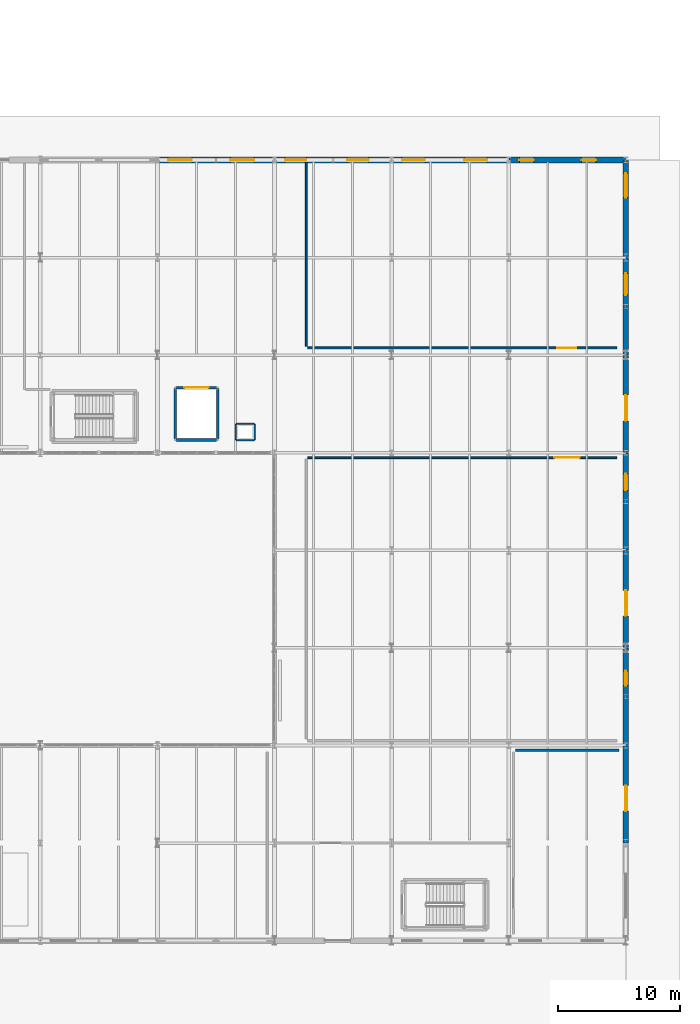
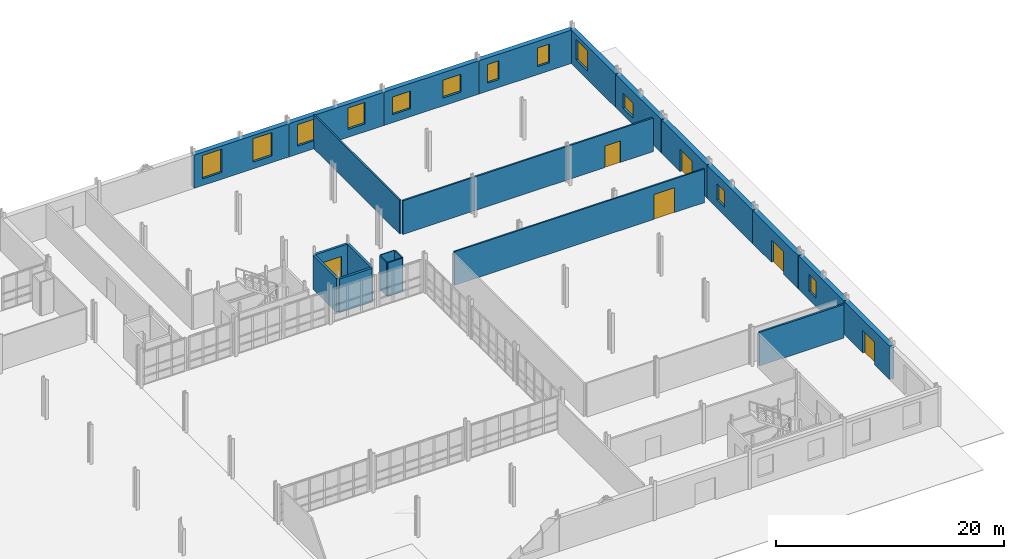
# One storey, part 64 of 78: 23 walls, 12 windows, 6 doors, 18 openings.
"""IFC4 building model written with IfcOpenShell, lengths in metres."""

from ifc_helpers import new_model, si_unit, direction, frame, frame_2d, origin, place, context, subcontext, project, spatial, rectangle, extrude, material, layer, layer_set, type_object, element, fill, save


model = new_model("IFC4")

# Units and contexts
model_context = context("Model", 3, precision=1e-05, world=origin(), true_north=direction((0.0, 1.0)))
body_context = subcontext(model_context, "Body", "Model", "MODEL_VIEW")
ifc_project = project(units=[si_unit("LENGTHUNIT", "METRE"), si_unit("AREAUNIT", "SQUARE_METRE"), si_unit("VOLUMEUNIT", "CUBIC_METRE"), si_unit("PLANEANGLEUNIT", "RADIAN"), si_unit("MASSUNIT", "GRAM", prefix="KILO")], contexts=[model_context])

# Site, building, storey
site_placement = place(None, origin())
site = spatial("IfcSite", under=ifc_project, at=site_placement, CompositionType="ELEMENT")
building_placement = place(site_placement, origin())
building = spatial("IfcBuilding", under=site, at=building_placement, Name="Alderhovde Museum", CompositionType="ELEMENT")
storey_placement = place(building_placement, origin())
storey = spatial("IfcBuildingStorey", under=building, at=storey_placement, Name="L00", CompositionType="ELEMENT", Elevation=0.0)

# Wall, openings, windows
ifc_material_1 = material(Name="Nordic Granite Ashlar on Concrete C35/45", Category="masonry")
ifc_layer_1 = layer(ifc_material_1, 0.47998046875)
ifc_layer_set_1 = layer_set([ifc_layer_1], Name="Nordic Granite Ashlar on Concrete C35/45")
wall_type_1 = type_object("IfcWallType", Name="EW-GRAN-480", PredefinedType="SOLIDWALL", material=ifc_layer_set_1)
wall_1_placement = place(storey_placement, frame((134.419921875, 96.0, 0.0), z_axis=(0.0, 0.0, 1.0), x_axis=(1.0, 0.0, 0.0)))
wall_1 = element("IfcWall", 1, at=wall_1_placement, inside=storey, type_object=wall_type_1, Name="L00 Conservation North Beaux-Arts Wall 181", PredefinedType="SOLIDWALL", context=body_context, shape_type="SweptSolid", body=[
    extrude(rectangle(XDim=9.56005859375, YDim=0.47998046875, at=frame_2d((4.780029296875, 0.0))), origin(), (0.0, 0.0, 1.0), 3.56005859375),
])
opening_1_placement = place(wall_1_placement, frame((0.85009765625, 0.0, 0.719970703125)))
opening_1 = element("IfcOpeningElement", 2, at=opening_1_placement, cuts=wall_1, Name="Opening W25", PredefinedType="OPENING", context=body_context, shape_type="SweptSolid", body=[
    extrude(rectangle(XDim=1.949951171875, YDim=2.5, at=frame_2d((0.97509765625, 1.25))), frame((0.0, 0.25, 0.0), z_axis=(0.0, -1.0, 0.0), x_axis=(1.0, 0.0, 0.0)), (0.0, 0.0, 1.0), 0.5),
])
opening_2_placement = place(wall_1_placement, frame((5.949951171875, 0.0, 0.719970703125)))
opening_2 = element("IfcOpeningElement", 3, at=opening_2_placement, cuts=wall_1, Name="Opening W25", PredefinedType="OPENING", context=body_context, shape_type="SweptSolid", body=[
    extrude(rectangle(XDim=1.949951171875, YDim=2.5, at=frame_2d((0.97509765625, 1.25))), frame((0.0, 0.25, 0.0), z_axis=(0.0, -1.0, 0.0), x_axis=(1.0, 0.0, 0.0)), (0.0, 0.0, 1.0), 0.5),
])
ifc_material_2 = material(Name="Triple-Glazed Low-E Bronze-Anodised Aluminium", Category="aluminium")
window_type_1 = type_object("IfcWindowType", Name="WIN-BA-1950x2500", PartitioningType="DOUBLE_PANEL_VERTICAL", PredefinedType="WINDOW", material=ifc_material_2)
window_1_placement = place(opening_1_placement, origin())
window_1 = element("IfcWindow", 4, at=window_1_placement, inside=storey, type_object=window_type_1, Name="L00 Facade Window 155", OverallHeight=2.5, OverallWidth=1.949951171875, PartitioningType="SINGLE_PANEL", PredefinedType="WINDOW", context=body_context, shape_type="SweptSolid", body=[
    extrude(rectangle(XDim=1.949951171875, YDim=2.5, at=frame_2d((0.97509765625, 1.25))), frame((0.0, 0.030029296875, 0.0), z_axis=(0.0, -1.0, 0.0), x_axis=(1.0, 0.0, 0.0)), (0.0, 0.0, 1.0), 0.06005859375),
])
fill(opening_1, window_1)
window_2_placement = place(opening_2_placement, origin())
window_2 = element("IfcWindow", 5, at=window_2_placement, inside=storey, type_object=window_type_1, Name="L00 Facade Window 156", OverallHeight=2.5, OverallWidth=1.949951171875, PartitioningType="SINGLE_PANEL", PredefinedType="WINDOW", context=body_context, shape_type="SweptSolid", body=[
    extrude(rectangle(XDim=1.949951171875, YDim=2.5, at=frame_2d((0.97509765625, 1.25))), frame((0.0, 0.030029296875, 0.0), z_axis=(0.0, -1.0, 0.0), x_axis=(1.0, 0.0, 0.0)), (0.0, 0.0, 1.0), 0.06005859375),
])
fill(opening_2, window_2)

wall_2_placement = place(storey_placement, frame((144.02001953125, 96.0, 0.0), z_axis=(0.0, 0.0, 1.0), x_axis=(1.0, 0.0, 0.0)))
wall_2 = element("IfcWall", 6, at=wall_2_placement, inside=storey, type_object=wall_type_1, Name="L00 Conservation North Beaux-Arts Wall 182", PredefinedType="SOLIDWALL", context=body_context, shape_type="SweptSolid", body=[
    extrude(rectangle(XDim=9.56005859375, YDim=0.47998046875, at=frame_2d((4.780029296875, 0.0))), origin(), (0.0, 0.0, 1.0), 3.56005859375),
])
opening_3_placement = place(wall_2_placement, frame((0.85009765625, 0.0, 0.85009765625)))
opening_3 = element("IfcOpeningElement", 7, at=opening_3_placement, cuts=wall_2, Name="Opening W26", PredefinedType="OPENING", context=body_context, shape_type="SweptSolid", body=[
    extrude(rectangle(XDim=1.75, YDim=2.300048828125, at=frame_2d((0.875, 1.14990234375))), frame((0.0, 0.25, 0.0), z_axis=(0.0, -1.0, 0.0), x_axis=(1.0, 0.0, 0.0)), (0.0, 0.0, 1.0), 0.5),
])
opening_4_placement = place(wall_2_placement, frame((5.949951171875, 0.0, 0.85009765625)))
opening_4 = element("IfcOpeningElement", 8, at=opening_4_placement, cuts=wall_2, Name="Opening W26", PredefinedType="OPENING", context=body_context, shape_type="SweptSolid", body=[
    extrude(rectangle(XDim=1.75, YDim=2.300048828125, at=frame_2d((0.875, 1.14990234375))), frame((0.0, 0.25, 0.0), z_axis=(0.0, -1.0, 0.0), x_axis=(1.0, 0.0, 0.0)), (0.0, 0.0, 1.0), 0.5),
])
ifc_material_3 = material(Name="Triple-Glazed Low-E Bronze-Anodised Aluminium", Category="aluminium")
window_type_2 = type_object("IfcWindowType", Name="WIN-BA-1750x2300", PartitioningType="DOUBLE_PANEL_VERTICAL", PredefinedType="WINDOW", material=ifc_material_3)
window_3_placement = place(opening_3_placement, origin())
window_3 = element("IfcWindow", 9, at=window_3_placement, inside=storey, type_object=window_type_2, Name="L00 Facade Window 157", OverallHeight=2.300048828125, OverallWidth=1.75, PartitioningType="SINGLE_PANEL", PredefinedType="WINDOW", context=body_context, shape_type="SweptSolid", body=[
    extrude(rectangle(XDim=1.75, YDim=2.300048828125, at=frame_2d((0.875, 1.14990234375))), frame((0.0, 0.030029296875, 0.0), z_axis=(0.0, -1.0, 0.0), x_axis=(1.0, 0.0, 0.0)), (0.0, 0.0, 1.0), 0.06005859375),
])
fill(opening_3, window_3)
window_4_placement = place(opening_4_placement, origin())
window_4 = element("IfcWindow", 10, at=window_4_placement, inside=storey, type_object=window_type_2, Name="L00 Facade Window 158", OverallHeight=2.300048828125, OverallWidth=1.75, PartitioningType="SINGLE_PANEL", PredefinedType="WINDOW", context=body_context, shape_type="SweptSolid", body=[
    extrude(rectangle(XDim=1.75, YDim=2.300048828125, at=frame_2d((0.875, 1.14990234375))), frame((0.0, 0.030029296875, 0.0), z_axis=(0.0, -1.0, 0.0), x_axis=(1.0, 0.0, 0.0)), (0.0, 0.0, 1.0), 0.06005859375),
])
fill(opening_4, window_4)

wall_3_placement = place(storey_placement, frame((153.6201171875, 96.0, 0.0), z_axis=(0.0, 0.0, 1.0), x_axis=(1.0, 0.0, 0.0)))
wall_3 = element("IfcWall", 11, at=wall_3_placement, inside=storey, type_object=wall_type_1, Name="L00 Conservation North Beaux-Arts Wall 183", PredefinedType="SOLIDWALL", context=body_context, shape_type="SweptSolid", body=[
    extrude(rectangle(XDim=9.559814453125, YDim=0.47998046875, at=frame_2d((4.77978515625, 0.0))), origin(), (0.0, 0.0, 1.0), 3.56005859375),
])
opening_5_placement = place(wall_3_placement, frame((0.85009765625, 0.0, 0.85009765625)))
opening_5 = element("IfcOpeningElement", 12, at=opening_5_placement, cuts=wall_3, Name="Opening W27", PredefinedType="OPENING", context=body_context, shape_type="SweptSolid", body=[
    extrude(rectangle(XDim=1.85009765625, YDim=1.89990234375, at=frame_2d((0.925048828125, 0.949951171875))), frame((0.0, 0.25, 0.0), z_axis=(0.0, -1.0, 0.0), x_axis=(1.0, 0.0, 0.0)), (0.0, 0.0, 1.0), 0.5),
])
opening_6_placement = place(wall_3_placement, frame((5.949951171875, 0.0, 0.85009765625)))
opening_6 = element("IfcOpeningElement", 13, at=opening_6_placement, cuts=wall_3, Name="Opening W27", PredefinedType="OPENING", context=body_context, shape_type="SweptSolid", body=[
    extrude(rectangle(XDim=1.85009765625, YDim=1.89990234375, at=frame_2d((0.925048828125, 0.949951171875))), frame((0.0, 0.25, 0.0), z_axis=(0.0, -1.0, 0.0), x_axis=(1.0, 0.0, 0.0)), (0.0, 0.0, 1.0), 0.5),
])
ifc_material_4 = material(Name="Triple-Glazed Low-E Bronze-Anodised Aluminium", Category="aluminium")
window_type_3 = type_object("IfcWindowType", Name="WIN-LAB-1850x1900", PartitioningType="DOUBLE_PANEL_VERTICAL", PredefinedType="WINDOW", material=ifc_material_4)
window_5_placement = place(opening_5_placement, origin())
window_5 = element("IfcWindow", 14, at=window_5_placement, inside=storey, type_object=window_type_3, Name="L00 Facade Window 159", OverallHeight=1.89990234375, OverallWidth=1.85009765625, PartitioningType="SINGLE_PANEL", PredefinedType="WINDOW", context=body_context, shape_type="SweptSolid", body=[
    extrude(rectangle(XDim=1.85009765625, YDim=1.89990234375, at=frame_2d((0.925048828125, 0.949951171875))), frame((0.0, 0.030029296875, 0.0), z_axis=(0.0, -1.0, 0.0), x_axis=(1.0, 0.0, 0.0)), (0.0, 0.0, 1.0), 0.06005859375),
])
fill(opening_5, window_5)
window_6_placement = place(opening_6_placement, origin())
window_6 = element("IfcWindow", 15, at=window_6_placement, inside=storey, type_object=window_type_3, Name="L00 Facade Window 160", OverallHeight=1.89990234375, OverallWidth=1.85009765625, PartitioningType="SINGLE_PANEL", PredefinedType="WINDOW", context=body_context, shape_type="SweptSolid", body=[
    extrude(rectangle(XDim=1.85009765625, YDim=1.89990234375, at=frame_2d((0.925048828125, 0.949951171875))), frame((0.0, 0.030029296875, 0.0), z_axis=(0.0, -1.0, 0.0), x_axis=(1.0, 0.0, 0.0)), (0.0, 0.0, 1.0), 0.06005859375),
])
fill(opening_6, window_6)

wall_4_placement = place(storey_placement, frame((163.219970703125, 96.0, 0.0), z_axis=(0.0, 0.0, 1.0), x_axis=(1.0, 0.0, 0.0)))
wall_4 = element("IfcWall", 16, at=wall_4_placement, inside=storey, type_object=wall_type_1, Name="L00 Conservation North Beaux-Arts Wall 184", PredefinedType="SOLIDWALL", context=body_context, shape_type="SweptSolid", body=[
    extrude(rectangle(XDim=9.56005859375, YDim=0.47998046875, at=frame_2d((4.780029296875, 0.0))), origin(), (0.0, 0.0, 1.0), 3.56005859375),
])
opening_7_placement = place(wall_4_placement, frame((0.85009765625, 0.0, 0.85009765625)))
opening_7 = element("IfcOpeningElement", 17, at=opening_7_placement, cuts=wall_4, Name="Opening W18", PredefinedType="OPENING", context=body_context, shape_type="SweptSolid", body=[
    extrude(rectangle(XDim=1.199951171875, YDim=2.0, at=frame_2d((0.60009765625, 1.0))), frame((0.0, 0.25, 0.0), z_axis=(0.0, -1.0, 0.0), x_axis=(1.0, 0.0, 0.0)), (0.0, 0.0, 1.0), 0.5),
])
opening_8_placement = place(wall_4_placement, frame((5.949951171875, 0.0, 0.85009765625)))
opening_8 = element("IfcOpeningElement", 18, at=opening_8_placement, cuts=wall_4, Name="Opening W18", PredefinedType="OPENING", context=body_context, shape_type="SweptSolid", body=[
    extrude(rectangle(XDim=1.199951171875, YDim=2.0, at=frame_2d((0.60009765625, 1.0))), frame((0.0, 0.25, 0.0), z_axis=(0.0, -1.0, 0.0), x_axis=(1.0, 0.0, 0.0)), (0.0, 0.0, 1.0), 0.5),
])
ifc_material_5 = material(Name="Triple-Glazed Low-E Bronze-Anodised Aluminium", Category="aluminium")
window_type_4 = type_object("IfcWindowType", Name="WIN-LAB-1200x2000", PartitioningType="SINGLE_PANEL", PredefinedType="WINDOW", material=ifc_material_5)
window_7_placement = place(opening_7_placement, origin())
window_7 = element("IfcWindow", 19, at=window_7_placement, inside=storey, type_object=window_type_4, Name="L00 Facade Window 161", OverallHeight=2.0, OverallWidth=1.199951171875, PartitioningType="SINGLE_PANEL", PredefinedType="WINDOW", context=body_context, shape_type="SweptSolid", body=[
    extrude(rectangle(XDim=1.199951171875, YDim=2.0, at=frame_2d((0.60009765625, 1.0))), frame((0.0, 0.030029296875, 0.0), z_axis=(0.0, -1.0, 0.0), x_axis=(1.0, 0.0, 0.0)), (0.0, 0.0, 1.0), 0.06005859375),
])
fill(opening_7, window_7)
window_8_placement = place(opening_8_placement, origin())
window_8 = element("IfcWindow", 20, at=window_8_placement, inside=storey, type_object=window_type_4, Name="L00 Facade Window 162", OverallHeight=2.0, OverallWidth=1.199951171875, PartitioningType="SINGLE_PANEL", PredefinedType="WINDOW", context=body_context, shape_type="SweptSolid", body=[
    extrude(rectangle(XDim=1.199951171875, YDim=2.0, at=frame_2d((0.60009765625, 1.0))), frame((0.0, 0.030029296875, 0.0), z_axis=(0.0, -1.0, 0.0), x_axis=(1.0, 0.0, 0.0)), (0.0, 0.0, 1.0), 0.06005859375),
])
fill(opening_8, window_8)

# Wall, opening, door
wall_5_placement = place(storey_placement, frame((172.800048828125, 40.02001953125, 0.0), z_axis=(0.0, 0.0, 1.0), x_axis=(0.0, 1.0, 0.0)))
wall_5 = element("IfcWall", 21, at=wall_5_placement, inside=storey, type_object=wall_type_1, Name="L00 Conservation East Hillside Wall 186", PredefinedType="SOLIDWALL", context=body_context, shape_type="SweptSolid", body=[
    extrude(rectangle(XDim=7.9599609375, YDim=0.47998046875, at=frame_2d((3.97998046875, 0.0))), origin(), (0.0, 0.0, 1.0), 3.56005859375),
])
opening_9_placement = place(wall_5_placement, frame((2.60009765625, 0.0, 0.0)))
opening_9 = element("IfcOpeningElement", 22, at=opening_9_placement, cuts=wall_5, Name="Opening ED03", PredefinedType="OPENING", context=body_context, shape_type="SweptSolid", body=[
    extrude(rectangle(XDim=2.10009765625, YDim=2.39990234375, at=frame_2d((1.050048828125, 1.199951171875))), frame((0.0, 0.25, 0.0), z_axis=(0.0, -1.0, 0.0), x_axis=(1.0, 0.0, 0.0)), (0.0, 0.0, 1.0), 0.5),
])
ifc_material_6 = material(Name="Thermally Broken Bronze-Anodised Aluminium and Laminated Glass", Category="aluminium")
door_type_1 = type_object("IfcDoorType", Name="DR-EXT-2100x2400", OperationType="NOTDEFINED", PredefinedType="DOOR", material=ifc_material_6)
door_1_placement = place(opening_9_placement, frame((2.10009765625, 0.0, 0.0), z_axis=(0.0, 0.0, 1.0), x_axis=(-1.0, 0.0, 0.0)))
door_1 = element("IfcDoor", 23, at=door_1_placement, inside=storey, type_object=door_type_1, Name="Loading Dock Personnel Exit Door", OperationType="DOUBLE_DOOR_SINGLE_SWING", OverallHeight=2.39990234375, OverallWidth=2.10009765625, PredefinedType="DOOR", context=body_context, shape_type="SweptSolid", body=[
    extrude(rectangle(XDim=2.10009765625, YDim=2.39990234375, at=frame_2d((1.050048828125, 1.199951171875))), frame((0.0, 0.02490234375, 0.0), z_axis=(0.0, -1.0, 0.0), x_axis=(1.0, 0.0, 0.0)), (0.0, 0.0, 1.0), 0.050048828125),
])
fill(opening_9, door_1)

# Wall, opening, window
wall_6_placement = place(storey_placement, frame((172.800048828125, 48.02001953125, 0.0), z_axis=(0.0, 0.0, 1.0), x_axis=(0.0, 1.0, 0.0)))
wall_6 = element("IfcWall", 24, at=wall_6_placement, inside=storey, type_object=wall_type_1, Name="L00 Conservation East Hillside Wall 187", PredefinedType="SOLIDWALL", context=body_context, shape_type="SweptSolid", body=[
    extrude(rectangle(XDim=7.9599609375, YDim=0.47998046875, at=frame_2d((3.97998046875, 0.0))), origin(), (0.0, 0.0, 1.0), 3.56005859375),
])
opening_10_placement = place(wall_6_placement, frame((4.89990234375, 0.0, 0.89990234375)))
opening_10 = element("IfcOpeningElement", 25, at=opening_10_placement, cuts=wall_6, Name="Opening W14", PredefinedType="OPENING", context=body_context, shape_type="SweptSolid", body=[
    extrude(rectangle(XDim=1.199951171875, YDim=1.800048828125, at=frame_2d((0.60009765625, 0.89990234375))), frame((0.0, 0.25, 0.0), z_axis=(0.0, -1.0, 0.0), x_axis=(1.0, 0.0, 0.0)), (0.0, 0.0, 1.0), 0.5),
])
ifc_material_7 = material(Name="Triple-Glazed Low-E Bronze-Anodised Aluminium", Category="aluminium")
window_type_5 = type_object("IfcWindowType", Name="WIN-ATT-1200x1800", PartitioningType="SINGLE_PANEL", PredefinedType="WINDOW", material=ifc_material_7)
window_9_placement = place(opening_10_placement, origin())
window_9 = element("IfcWindow", 26, at=window_9_placement, inside=storey, type_object=window_type_5, Name="L00 Facade Window 163", OverallHeight=1.800048828125, OverallWidth=1.199951171875, PartitioningType="SINGLE_PANEL", PredefinedType="WINDOW", context=body_context, shape_type="SweptSolid", body=[
    extrude(rectangle(XDim=1.199951171875, YDim=1.800048828125, at=frame_2d((0.60009765625, 0.89990234375))), frame((0.0, 0.030029296875, 0.0), z_axis=(0.0, -1.0, 0.0), x_axis=(1.0, 0.0, 0.0)), (0.0, 0.0, 1.0), 0.06005859375),
])
fill(opening_10, window_9)

# Wall, opening, door
wall_7_placement = place(storey_placement, frame((172.800048828125, 56.02001953125, 0.0), z_axis=(0.0, 0.0, 1.0), x_axis=(0.0, 1.0, 0.0)))
wall_7 = element("IfcWall", 27, at=wall_7_placement, inside=storey, type_object=wall_type_1, Name="L00 Conservation East Hillside Wall 188", PredefinedType="SOLIDWALL", context=body_context, shape_type="SweptSolid", body=[
    extrude(rectangle(XDim=7.9599609375, YDim=0.47998046875, at=frame_2d((3.97998046875, 0.0))), origin(), (0.0, 0.0, 1.0), 3.56005859375),
])
opening_11_placement = place(wall_7_placement, frame((2.60009765625, 0.0, 0.0)))
opening_11 = element("IfcOpeningElement", 28, at=opening_11_placement, cuts=wall_7, Name="Opening ED03", PredefinedType="OPENING", context=body_context, shape_type="SweptSolid", body=[
    extrude(rectangle(XDim=2.10009765625, YDim=2.39990234375, at=frame_2d((1.050048828125, 1.199951171875))), frame((0.0, 0.25, 0.0), z_axis=(0.0, -1.0, 0.0), x_axis=(1.0, 0.0, 0.0)), (0.0, 0.0, 1.0), 0.5),
])
door_2_placement = place(opening_11_placement, frame((2.10009765625, 0.0, 0.0), z_axis=(0.0, 0.0, 1.0), x_axis=(-1.0, 0.0, 0.0)))
door_2 = element("IfcDoor", 29, at=door_2_placement, inside=storey, type_object=door_type_1, Name="East Garden Exit Door 56", OperationType="DOUBLE_DOOR_SINGLE_SWING", OverallHeight=2.39990234375, OverallWidth=2.10009765625, PredefinedType="DOOR", context=body_context, shape_type="SweptSolid", body=[
    extrude(rectangle(XDim=2.10009765625, YDim=2.39990234375, at=frame_2d((1.050048828125, 1.199951171875))), frame((0.0, 0.02490234375, 0.0), z_axis=(0.0, -1.0, 0.0), x_axis=(1.0, 0.0, 0.0)), (0.0, 0.0, 1.0), 0.050048828125),
])
fill(opening_11, door_2)

# Wall, opening, window
wall_8_placement = place(storey_placement, frame((172.800048828125, 64.02001953125, 0.0), z_axis=(0.0, 0.0, 1.0), x_axis=(0.0, 1.0, 0.0)))
wall_8 = element("IfcWall", 30, at=wall_8_placement, inside=storey, type_object=wall_type_1, Name="L00 Conservation East Hillside Wall 189", PredefinedType="SOLIDWALL", context=body_context, shape_type="SweptSolid", body=[
    extrude(rectangle(XDim=7.9599609375, YDim=0.47998046875, at=frame_2d((3.97998046875, 0.0))), origin(), (0.0, 0.0, 1.0), 3.56005859375),
])
opening_12_placement = place(wall_8_placement, frame((4.89990234375, 0.0, 0.89990234375)))
opening_12 = element("IfcOpeningElement", 31, at=opening_12_placement, cuts=wall_8, Name="Opening W28", PredefinedType="OPENING", context=body_context, shape_type="SweptSolid", body=[
    extrude(rectangle(XDim=1.35009765625, YDim=1.699951171875, at=frame_2d((0.675048828125, 0.85009765625))), frame((0.0, 0.25, 0.0), z_axis=(0.0, -1.0, 0.0), x_axis=(1.0, 0.0, 0.0)), (0.0, 0.0, 1.0), 0.5),
])
ifc_material_8 = material(Name="Triple-Glazed Low-E Bronze-Anodised Aluminium", Category="aluminium")
window_type_6 = type_object("IfcWindowType", Name="WIN-LAB-1350x1700", PartitioningType="SINGLE_PANEL", PredefinedType="WINDOW", material=ifc_material_8)
window_10_placement = place(opening_12_placement, origin())
window_10 = element("IfcWindow", 32, at=window_10_placement, inside=storey, type_object=window_type_6, Name="L00 Facade Window 164", OverallHeight=1.699951171875, OverallWidth=1.35009765625, PartitioningType="SINGLE_PANEL", PredefinedType="WINDOW", context=body_context, shape_type="SweptSolid", body=[
    extrude(rectangle(XDim=1.35009765625, YDim=1.699951171875, at=frame_2d((0.675048828125, 0.85009765625))), frame((0.0, 0.030029296875, 0.0), z_axis=(0.0, -1.0, 0.0), x_axis=(1.0, 0.0, 0.0)), (0.0, 0.0, 1.0), 0.06005859375),
])
fill(opening_12, window_10)

# Wall, opening, door
wall_9_placement = place(storey_placement, frame((172.800048828125, 72.02001953125, 0.0), z_axis=(0.0, 0.0, 1.0), x_axis=(0.0, 1.0, 0.0)))
wall_9 = element("IfcWall", 33, at=wall_9_placement, inside=storey, type_object=wall_type_1, Name="L00 Conservation East Hillside Wall 190", PredefinedType="SOLIDWALL", context=body_context, shape_type="SweptSolid", body=[
    extrude(rectangle(XDim=7.9599609375, YDim=0.47998046875, at=frame_2d((3.97998046875, 0.0))), origin(), (0.0, 0.0, 1.0), 3.56005859375),
])
opening_13_placement = place(wall_9_placement, frame((2.60009765625, 0.0, 0.0)))
opening_13 = element("IfcOpeningElement", 34, at=opening_13_placement, cuts=wall_9, Name="Opening ED03", PredefinedType="OPENING", context=body_context, shape_type="SweptSolid", body=[
    extrude(rectangle(XDim=2.10009765625, YDim=2.39990234375, at=frame_2d((1.050048828125, 1.199951171875))), frame((0.0, 0.25, 0.0), z_axis=(0.0, -1.0, 0.0), x_axis=(1.0, 0.0, 0.0)), (0.0, 0.0, 1.0), 0.5),
])
door_3_placement = place(opening_13_placement, frame((2.10009765625, 0.0, 0.0), z_axis=(0.0, 0.0, 1.0), x_axis=(-1.0, 0.0, 0.0)))
door_3 = element("IfcDoor", 35, at=door_3_placement, inside=storey, type_object=door_type_1, Name="East Garden Exit Door 72", OperationType="DOUBLE_DOOR_SINGLE_SWING", OverallHeight=2.39990234375, OverallWidth=2.10009765625, PredefinedType="DOOR", context=body_context, shape_type="SweptSolid", body=[
    extrude(rectangle(XDim=2.10009765625, YDim=2.39990234375, at=frame_2d((1.050048828125, 1.199951171875))), frame((0.0, 0.02490234375, 0.0), z_axis=(0.0, -1.0, 0.0), x_axis=(1.0, 0.0, 0.0)), (0.0, 0.0, 1.0), 0.050048828125),
])
fill(opening_13, door_3)

# Wall, opening, window
wall_10_placement = place(storey_placement, frame((172.800048828125, 80.02001953125, 0.0), z_axis=(0.0, 0.0, 1.0), x_axis=(0.0, 1.0, 0.0)))
wall_10 = element("IfcWall", 36, at=wall_10_placement, inside=storey, type_object=wall_type_1, Name="L00 Conservation East Hillside Wall 191", PredefinedType="SOLIDWALL", context=body_context, shape_type="SweptSolid", body=[
    extrude(rectangle(XDim=7.9599609375, YDim=0.47998046875, at=frame_2d((3.97998046875, 0.0))), origin(), (0.0, 0.0, 1.0), 3.56005859375),
])
opening_14_placement = place(wall_10_placement, frame((4.89990234375, 0.0, 0.719970703125)))
opening_14 = element("IfcOpeningElement", 37, at=opening_14_placement, cuts=wall_10, Name="Opening W13", PredefinedType="OPENING", context=body_context, shape_type="SweptSolid", body=[
    extrude(rectangle(XDim=1.800048828125, YDim=1.60009765625, at=frame_2d((0.89990234375, 0.800048828125))), frame((0.0, 0.25, 0.0), z_axis=(0.0, -1.0, 0.0), x_axis=(1.0, 0.0, 0.0)), (0.0, 0.0, 1.0), 0.5),
])
ifc_material_9 = material(Name="Triple-Glazed Low-E Bronze-Anodised Aluminium", Category="aluminium")
window_type_7 = type_object("IfcWindowType", Name="WIN-ATT-1800x1600", PartitioningType="DOUBLE_PANEL_VERTICAL", PredefinedType="WINDOW", material=ifc_material_9)
window_11_placement = place(opening_14_placement, origin())
window_11 = element("IfcWindow", 38, at=window_11_placement, inside=storey, type_object=window_type_7, Name="L00 Facade Window 165", OverallHeight=1.60009765625, OverallWidth=1.800048828125, PartitioningType="SINGLE_PANEL", PredefinedType="WINDOW", context=body_context, shape_type="SweptSolid", body=[
    extrude(rectangle(XDim=1.800048828125, YDim=1.60009765625, at=frame_2d((0.89990234375, 0.800048828125))), frame((0.0, 0.030029296875, 0.0), z_axis=(0.0, -1.0, 0.0), x_axis=(1.0, 0.0, 0.0)), (0.0, 0.0, 1.0), 0.06005859375),
])
fill(opening_14, window_11)

wall_11_placement = place(storey_placement, frame((172.800048828125, 88.02001953125, 0.0), z_axis=(0.0, 0.0, 1.0), x_axis=(0.0, 1.0, 0.0)))
wall_11 = element("IfcWall", 39, at=wall_11_placement, inside=storey, type_object=wall_type_1, Name="L00 Conservation East Hillside Wall 192", PredefinedType="SOLIDWALL", context=body_context, shape_type="SweptSolid", body=[
    extrude(rectangle(XDim=7.9599609375, YDim=0.47998046875, at=frame_2d((3.97998046875, 0.0))), origin(), (0.0, 0.0, 1.0), 3.56005859375),
])
opening_15_placement = place(wall_11_placement, frame((4.89990234375, 0.0, 0.89990234375)))
opening_15 = element("IfcOpeningElement", 40, at=opening_15_placement, cuts=wall_11, Name="Opening W16", PredefinedType="OPENING", context=body_context, shape_type="SweptSolid", body=[
    extrude(rectangle(XDim=2.0, YDim=2.199951171875, at=frame_2d((1.0, 1.10009765625))), frame((0.0, 0.25, 0.0), z_axis=(0.0, -1.0, 0.0), x_axis=(1.0, 0.0, 0.0)), (0.0, 0.0, 1.0), 0.5),
])
ifc_material_10 = material(Name="Triple-Glazed Low-E Bronze-Anodised Aluminium", Category="aluminium")
window_type_8 = type_object("IfcWindowType", Name="WIN-LAB-2000x2200", PartitioningType="DOUBLE_PANEL_VERTICAL", PredefinedType="WINDOW", material=ifc_material_10)
window_12_placement = place(opening_15_placement, origin())
window_12 = element("IfcWindow", 41, at=window_12_placement, inside=storey, type_object=window_type_8, Name="L00 Facade Window 166", OverallHeight=2.199951171875, OverallWidth=2.0, PartitioningType="SINGLE_PANEL", PredefinedType="WINDOW", context=body_context, shape_type="SweptSolid", body=[
    extrude(rectangle(XDim=2.0, YDim=2.199951171875, at=frame_2d((1.0, 1.10009765625))), frame((0.0, 0.030029296875, 0.0), z_axis=(0.0, -1.0, 0.0), x_axis=(1.0, 0.0, 0.0)), (0.0, 0.0, 1.0), 0.06005859375),
])
fill(opening_15, window_12)

# Wall, opening, door
ifc_material_11 = material(Name="Double-Stud Acoustic Auditorium Partition")
ifc_layer_2 = layer(ifc_material_11, 0.159912109375)
ifc_layer_set_2 = layer_set([ifc_layer_2], Name="Double-Stud Acoustic Auditorium Partition")
wall_type_2 = type_object("IfcWallType", Name="IW-ACOU-160", PredefinedType="PARTITIONING", material=ifc_layer_set_2)
wall_12_placement = place(storey_placement, frame((146.739990234375, 80.60009765625, 0.0), z_axis=(0.0, 0.0, 1.0), x_axis=(1.0, 0.0, 0.0)))
wall_12 = element("IfcWall", 42, at=wall_12_placement, inside=storey, type_object=wall_type_2, Name="L00 Community Seminar Suite Partition Wall S", PredefinedType="PARTITIONING", context=body_context, shape_type="SweptSolid", body=[
    extrude(rectangle(XDim=25.320068359375, YDim=0.159912109375, at=frame_2d((12.66015625, 0.0))), origin(), (0.0, 0.0, 1.0), 3.60009765625),
])
opening_16_placement = place(wall_12_placement, frame((20.446044921875, 0.0, 0.0)))
opening_16 = element("IfcOpeningElement", 43, at=opening_16_placement, cuts=wall_12, Name="Opening D14", PredefinedType="OPENING", context=body_context, shape_type="SweptSolid", body=[
    extrude(rectangle(XDim=1.550048828125, YDim=2.300048828125, at=frame_2d((0.77490234375, 1.14990234375))), frame((0.0, 0.090087890625, 0.0), z_axis=(0.0, -1.0, 0.0), x_axis=(1.0, 0.0, 0.0)), (0.0, 0.0, 1.0), 0.179931640625),
])
ifc_material_12 = material(Name="Seminar Suite Double Door (Steel/Oak)", Category="steel")
door_type_2 = type_object("IfcDoorType", Name="ID-SEM-1550x2300", OperationType="NOTDEFINED", PredefinedType="DOOR", material=ifc_material_12)
door_4_placement = place(opening_16_placement, origin())
door_4 = element("IfcDoor", 44, at=door_4_placement, inside=storey, type_object=door_type_2, Name="L00 Community Seminar Suite Door", OperationType="SINGLE_SWING_RIGHT", OverallHeight=2.300048828125, OverallWidth=1.550048828125, PredefinedType="DOOR", context=body_context, shape_type="SweptSolid", body=[
    extrude(rectangle(XDim=1.550048828125, YDim=2.300048828125, at=frame_2d((0.77490234375, 1.14990234375))), frame((0.0, 0.02490234375, 0.0), z_axis=(0.0, -1.0, 0.0), x_axis=(1.0, 0.0, 0.0)), (0.0, 0.0, 1.0), 0.050048828125),
])
fill(opening_16, door_4)

# Walls
wall_13_placement = place(storey_placement, frame((146.60009765625, 80.739990234375, 0.0), z_axis=(0.0, 0.0, 1.0), x_axis=(0.0, 1.0, 0.0)))
element("IfcWall", 45, at=wall_13_placement, inside=storey, type_object=wall_type_2, Name="L00 Community Seminar Suite Partition Wall W", PredefinedType="PARTITIONING", context=body_context, shape_type="SweptSolid", body=[
    extrude(rectangle(XDim=15.090087890625, YDim=0.159912109375, at=frame_2d((7.544921875, 0.0))), origin(), (0.0, 0.0, 1.0), 3.60009765625),
])
ifc_material_13 = material(Name="Fire-Resisting Twin-Stud Compartment Wall")
ifc_layer_3 = layer(ifc_material_13, 0.18994140625)
ifc_layer_set_3 = layer_set([ifc_layer_3], Name="Fire-Resisting Twin-Stud Compartment Wall")
wall_type_3 = type_object("IfcWallType", Name="IW-FIRE-190", PredefinedType="SOLIDWALL", material=ifc_layer_set_3)
wall_14_placement = place(storey_placement, frame((163.739990234375, 47.60009765625, 0.0), z_axis=(0.0, 0.0, 1.0), x_axis=(1.0, 0.0, 0.0)))
element("IfcWall", 46, at=wall_14_placement, inside=storey, type_object=wall_type_3, Name="L00 Loading Dock Partition Wall N", PredefinedType="SOLIDWALL", context=body_context, shape_type="SweptSolid", body=[
    extrude(rectangle(XDim=8.52001953125, YDim=0.18994140625, at=frame_2d((4.260009765625, 0.0))), origin(), (0.0, 0.0, 1.0), 3.60009765625),
])

# Wall, opening, door
ifc_material_14 = material(Name="Plywood-Backed Gallery Display Partition", Category="wood")
ifc_layer_4 = layer(ifc_material_14, 0.14990234375)
ifc_layer_set_4 = layer_set([ifc_layer_4], Name="Plywood-Backed Gallery Display Partition")
wall_type_4 = type_object("IfcWallType", Name="IW-GAL-150", PredefinedType="PARTITIONING", material=ifc_layer_set_4)
wall_15_placement = place(storey_placement, frame((146.739990234375, 71.60009765625, 0.0), z_axis=(0.0, 0.0, 1.0), x_axis=(1.0, 0.0, 0.0)))
wall_15 = element("IfcWall", 47, at=wall_15_placement, inside=storey, type_object=wall_type_4, Name="L00 Temporary Display Hall Partition Wall N", PredefinedType="PARTITIONING", context=body_context, shape_type="SweptSolid", body=[
    extrude(rectangle(XDim=25.320068359375, YDim=0.14990234375, at=frame_2d((12.66015625, 0.0))), origin(), (0.0, 0.0, 1.0), 3.60009765625),
])
opening_17_placement = place(wall_15_placement, frame((20.18994140625, 0.0, 0.0)))
opening_17 = element("IfcOpeningElement", 48, at=opening_17_placement, cuts=wall_15, Name="Opening D11", PredefinedType="OPENING", context=body_context, shape_type="SweptSolid", body=[
    extrude(rectangle(XDim=2.10009765625, YDim=2.64990234375, at=frame_2d((1.050048828125, 1.324951171875))), frame((0.0, 0.0849609375, 0.0), z_axis=(0.0, -1.0, 0.0), x_axis=(1.0, 0.0, 0.0)), (0.0, 0.0, 1.0), 0.169921875),
])
ifc_material_15 = material(Name="Sculpture Hall Double Door (Steel/Oak)", Category="steel")
door_type_3 = type_object("IfcDoorType", Name="ID-GAL-2100x2650", OperationType="NOTDEFINED", PredefinedType="DOOR", material=ifc_material_15)
door_5_placement = place(opening_17_placement, origin())
door_5 = element("IfcDoor", 49, at=door_5_placement, inside=storey, type_object=door_type_3, Name="L00 Temporary Display Hall Door", OperationType="DOUBLE_DOOR_SINGLE_SWING", OverallHeight=2.64990234375, OverallWidth=2.10009765625, PredefinedType="DOOR", context=body_context, shape_type="SweptSolid", body=[
    extrude(rectangle(XDim=2.10009765625, YDim=2.64990234375, at=frame_2d((1.050048828125, 1.324951171875))), frame((0.0, 0.02490234375, 0.0), z_axis=(0.0, -1.0, 0.0), x_axis=(1.0, 0.0, 0.0)), (0.0, 0.0, 1.0), 0.050048828125),
])
fill(opening_17, door_5)

# Walls
ifc_material_16 = material(Name="Acoustic Service Riser Lining Wall")
ifc_layer_5 = layer(ifc_material_16, 0.10009765625)
ifc_layer_set_5 = layer_set([ifc_layer_5], Name="Acoustic Service Riser Lining Wall")
wall_type_5 = type_object("IfcWallType", Name="IW-LIN-100", PredefinedType="PARTITIONING", material=ifc_layer_set_5)
for number, where, z_axis, x_axis, name in (
    (50, (140.8798828125, 74.3798828125, 0.0), (0.0, 0.0, 1.0), (1.0, 0.0, 0.0), "L00 Service Riser RSR-V5 Shaft Wall N"),
    (51, (140.8798828125, 73.02001953125, 0.0), (0.0, 0.0, 1.0), (1.0, 0.0, 0.0), "L00 Service Riser RSR-V5 Shaft Wall S"),
):
    element("IfcWall", number, at=place(storey_placement, frame(where, z_axis=z_axis, x_axis=x_axis)), inside=storey, type_object=wall_type_5, Name=name, PredefinedType="PARTITIONING", context=body_context, shape_type="SweptSolid", body=[
        extrude(rectangle(XDim=1.440185546875, YDim=0.10009765625, at=frame_2d((0.72021484375, 0.0))), origin(), (0.0, 0.0, 1.0), 3.60009765625),
    ])
for number, where, z_axis, x_axis, name in (
    (52, (140.820068359375, 73.080078125, 0.0), (0.0, 0.0, 1.0), (0.0, 1.0, 0.0), "L00 Service Riser RSR-V5 Shaft Wall W"),
    (53, (142.3798828125, 73.080078125, 0.0), (0.0, 0.0, 1.0), (0.0, 1.0, 0.0), "L00 Service Riser RSR-V5 Shaft Wall E"),
):
    element("IfcWall", number, at=place(storey_placement, frame(where, z_axis=z_axis, x_axis=x_axis)), inside=storey, type_object=wall_type_5, Name=name, PredefinedType="PARTITIONING", context=body_context, shape_type="SweptSolid", body=[
        extrude(rectangle(XDim=1.239990234375, YDim=0.10009765625, at=frame_2d((0.6201171875, 0.0))), origin(), (0.0, 0.0, 1.0), 3.60009765625),
    ])
ifc_material_17 = material(Name="Concrete C40/50 and Fireboard Shaft Wall", Category="concrete")
ifc_layer_6 = layer(ifc_material_17, 0.22998046875)
ifc_layer_set_6 = layer_set([ifc_layer_6], Name="Concrete C40/50 and Fireboard Shaft Wall")
wall_type_6 = type_object("IfcWallType", Name="IW-SHAFT-230", PredefinedType="SOLIDWALL", material=ifc_layer_set_6)
wall_16_placement = place(storey_placement, frame((135.93994140625, 73.06005859375, 0.0), z_axis=(0.0, 0.0, 1.0), x_axis=(1.0, 0.0, 0.0)))
element("IfcWall", 54, at=wall_16_placement, inside=storey, type_object=wall_type_6, Name="L00 Goods Lift Shaft Wall South", PredefinedType="SOLIDWALL", context=body_context, shape_type="SweptSolid", body=[
    extrude(rectangle(XDim=3.320068359375, YDim=0.22998046875, at=frame_2d((1.66015625, 0.0))), origin(), (0.0, 0.0, 1.0), 3.60009765625),
])

# Wall, opening, door
wall_17_placement = place(storey_placement, frame((135.93994140625, 77.340087890625, 0.0), z_axis=(0.0, 0.0, 1.0), x_axis=(1.0, 0.0, 0.0)))
wall_17 = element("IfcWall", 55, at=wall_17_placement, inside=storey, type_object=wall_type_6, Name="L00 Goods Lift Shaft Wall North", PredefinedType="SOLIDWALL", context=body_context, shape_type="SweptSolid", body=[
    extrude(rectangle(XDim=3.320068359375, YDim=0.22998046875, at=frame_2d((1.66015625, 0.0))), origin(), (0.0, 0.0, 1.0), 3.60009765625),
])
opening_18_placement = place(wall_17_placement, frame((0.659912109375, 0.0, 0.0)))
opening_18 = element("IfcOpeningElement", 56, at=opening_18_placement, cuts=wall_17, Name="Opening LD-2", PredefinedType="OPENING", context=body_context, shape_type="SweptSolid", body=[
    extrude(rectangle(XDim=2.0, YDim=2.5, at=frame_2d((1.0, 1.25))), frame((0.0, 0.125, 0.0), z_axis=(0.0, -1.0, 0.0), x_axis=(1.0, 0.0, 0.0)), (0.0, 0.0, 1.0), 0.25),
])
ifc_material_18 = material(Name="Goods Lift Sliding Landing Door (Steel/Oak)", Category="steel")
door_type_4 = type_object("IfcDoorType", Name="LD-GOODS-2000x2500", OperationType="SLIDING_TO_RIGHT", PredefinedType="DOOR", material=ifc_material_18)
door_6_placement = place(opening_18_placement, origin())
door_6 = element("IfcDoor", 57, at=door_6_placement, inside=storey, type_object=door_type_4, Name="L00 Goods Lift Landing Door", OperationType="SLIDING_TO_RIGHT", OverallHeight=2.5, OverallWidth=2.0, PredefinedType="DOOR", context=body_context, shape_type="SweptSolid", body=[
    extrude(rectangle(XDim=2.0, YDim=2.5, at=frame_2d((1.0, 1.25))), frame((0.0, 0.02490234375, 0.0), z_axis=(0.0, -1.0, 0.0), x_axis=(1.0, 0.0, 0.0)), (0.0, 0.0, 1.0), 0.050048828125),
])
fill(opening_18, door_6)

# Walls
for number, where, z_axis, x_axis, name in (
    (58, (135.860107421875, 73.139892578125, 0.0), (0.0, 0.0, 1.0), (0.0, 1.0, 0.0), "L00 Goods Lift Shaft Wall West"),
    (59, (139.340087890625, 73.139892578125, 0.0), (0.0, 0.0, 1.0), (0.0, 1.0, 0.0), "L00 Goods Lift Shaft Wall East"),
):
    element("IfcWall", number, at=place(storey_placement, frame(where, z_axis=z_axis, x_axis=x_axis)), inside=storey, type_object=wall_type_6, Name=name, PredefinedType="SOLIDWALL", context=body_context, shape_type="SweptSolid", body=[
        extrude(rectangle(XDim=4.1201171875, YDim=0.22998046875, at=frame_2d((2.06005859375, 0.0))), origin(), (0.0, 0.0, 1.0), 3.60009765625),
    ])

save(model, "model.ifc")
